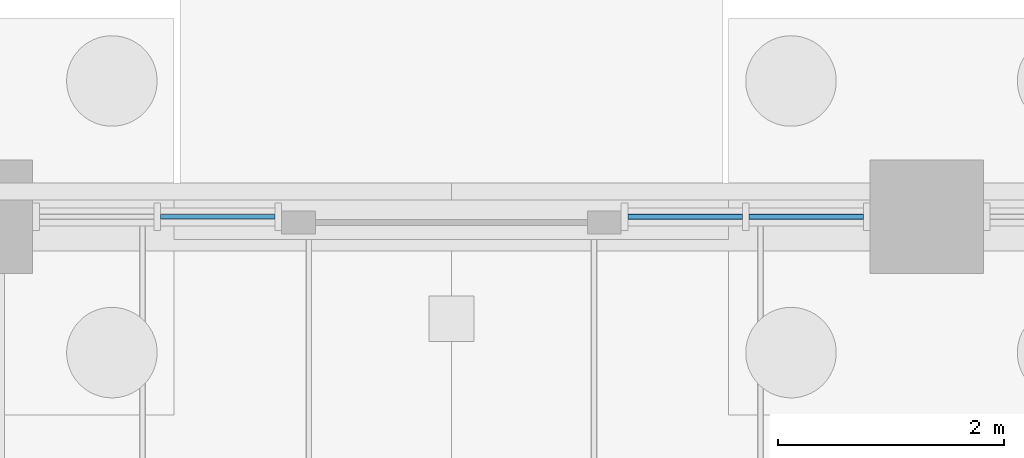
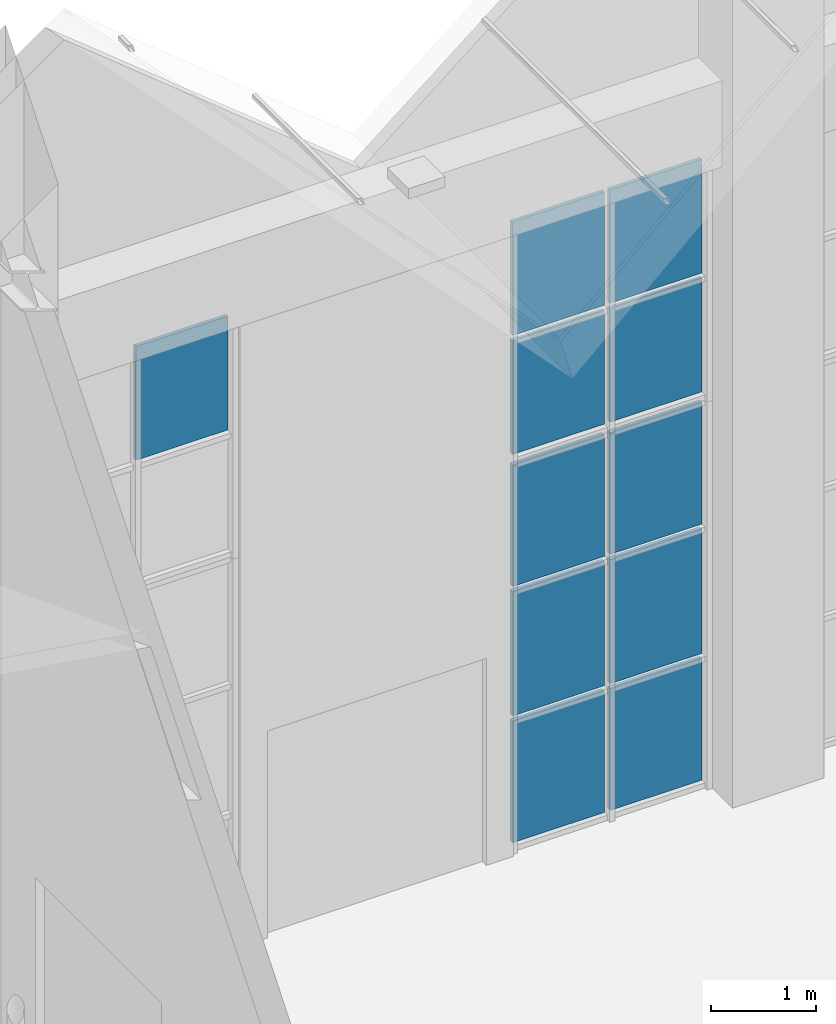
# One storey, part 84 of 138: 11 plates, 3 elements without a shape of their own.
"""IFC4 building model written with IfcOpenShell, lengths in metres."""

from ifc_helpers import new_model, si_unit, direction, frame, origin, origin_2d, place, context, subcontext, project, spatial, rectangle, extrude, material, layer, layer_set, type_object, element, aggregate, save


model = new_model("IFC4")

# Units and contexts
model_context = context("Model", 3, precision=1e-05, world=origin(), true_north=direction((0.0, 1.0)))
body_context = subcontext(model_context, "Body", "Model", "MODEL_VIEW")
ifc_project = project(units=[si_unit("LENGTHUNIT", "METRE"), si_unit("AREAUNIT", "SQUARE_METRE"), si_unit("VOLUMEUNIT", "CUBIC_METRE"), si_unit("PLANEANGLEUNIT", "RADIAN"), si_unit("MASSUNIT", "GRAM", prefix="KILO")], contexts=[model_context])

# Site, building, storey
site_placement = place(None, origin())
site = spatial("IfcSite", under=ifc_project, at=site_placement, CompositionType="ELEMENT")
building_placement = place(site_placement, origin())
building = spatial("IfcBuilding", under=site, at=building_placement, Name="Yavir Park General Hospital", CompositionType="ELEMENT")
storey_placement = place(building_placement, origin())
storey = spatial("IfcBuildingStorey", under=building, at=storey_placement, Name="L00", CompositionType="ELEMENT", Elevation=0.0)

# Curtain wall, plates
ifc_material_1 = material(Name="Aluminium curtain wall frame with insulated glazing", Category="aluminium")
curtain_wall_type_1 = type_object("IfcCurtainWallType", Name="Main hall glazing, lower band, 4500 high, 1400 module", PredefinedType="NOTDEFINED", material=ifc_material_1)
curtain_wall_1_placement = place(storey_placement, origin())
curtain_wall_1 = element("IfcCurtainWall", 1, at=curtain_wall_1_placement, inside=storey, type_object=curtain_wall_type_1, Name="CW33 L00-025", PredefinedType="NOTDEFINED")
ifc_material_2 = material(Name="Solar-control insulated glazed unit 40 mm")
ifc_layer_1 = layer(ifc_material_2, 0.050048828125)
ifc_layer_set_1 = layer_set([ifc_layer_1], Name="Solar-control insulated glazed unit 40 mm")
plate_type_1 = type_object("IfcPlateType", Name="Main hall glazing, lower band, 4500 high panel 50", PredefinedType="CURTAIN_PANEL", material=ifc_layer_set_1)
plate_1_placement = place(storey_placement, frame((81.864990234375, 67.199951171875, 0.06005859375), z_axis=(0.0, 0.0, 1.0), x_axis=(1.0, 0.0, 0.0)))
plate_1 = element("IfcPlate", 2, at=plate_1_placement, type_object=plate_type_1, Name="CW33 panel 1.1", PredefinedType="CURTAIN_PANEL", context=body_context, shape_type="SweptSolid", body=[
    extrude(rectangle(XDim=1.010009765625, YDim=0.050048828125, at=origin_2d()), origin(), (0.0, 0.0, 1.0), 1.409912109375),
])
plate_2_placement = place(storey_placement, frame((81.864990234375, 67.199951171875, 1.530029296875), z_axis=(0.0, 0.0, 1.0), x_axis=(1.0, 0.0, 0.0)))
plate_2 = element("IfcPlate", 3, at=plate_2_placement, type_object=plate_type_1, Name="CW33 panel 1.2", PredefinedType="CURTAIN_PANEL", context=body_context, shape_type="SweptSolid", body=[
    extrude(rectangle(XDim=1.010009765625, YDim=0.050048828125, at=origin_2d()), origin(), (0.0, 0.0, 1.0), 1.43994140625),
])
plate_3_placement = place(storey_placement, frame((81.864990234375, 67.199951171875, 3.0302734375), z_axis=(0.0, 0.0, 1.0), x_axis=(1.0, 0.0, 0.0)))
plate_3 = element("IfcPlate", 4, at=plate_3_placement, type_object=plate_type_1, Name="CW33 panel 1.3", PredefinedType="CURTAIN_PANEL", context=body_context, shape_type="SweptSolid", body=[
    extrude(rectangle(XDim=1.010009765625, YDim=0.050048828125, at=origin_2d()), origin(), (0.0, 0.0, 1.0), 1.409912109375),
])
plate_4_placement = place(storey_placement, frame((82.93505859375, 67.199951171875, 0.06005859375), z_axis=(0.0, 0.0, 1.0), x_axis=(1.0, 0.0, 0.0)))
plate_4 = element("IfcPlate", 5, at=plate_4_placement, type_object=plate_type_1, Name="CW33 panel 2.1", PredefinedType="CURTAIN_PANEL", context=body_context, shape_type="SweptSolid", body=[
    extrude(rectangle(XDim=1.010009765625, YDim=0.050048828125, at=origin_2d()), origin(), (0.0, 0.0, 1.0), 1.409912109375),
])
plate_5_placement = place(storey_placement, frame((82.93505859375, 67.199951171875, 1.530029296875), z_axis=(0.0, 0.0, 1.0), x_axis=(1.0, 0.0, 0.0)))
plate_5 = element("IfcPlate", 6, at=plate_5_placement, type_object=plate_type_1, Name="CW33 panel 2.2", PredefinedType="CURTAIN_PANEL", context=body_context, shape_type="SweptSolid", body=[
    extrude(rectangle(XDim=1.010009765625, YDim=0.050048828125, at=origin_2d()), origin(), (0.0, 0.0, 1.0), 1.43994140625),
])
plate_6_placement = place(storey_placement, frame((82.93505859375, 67.199951171875, 3.0302734375), z_axis=(0.0, 0.0, 1.0), x_axis=(1.0, 0.0, 0.0)))
plate_6 = element("IfcPlate", 7, at=plate_6_placement, type_object=plate_type_1, Name="CW33 panel 2.3", PredefinedType="CURTAIN_PANEL", context=body_context, shape_type="SweptSolid", body=[
    extrude(rectangle(XDim=1.010009765625, YDim=0.050048828125, at=origin_2d()), origin(), (0.0, 0.0, 1.0), 1.409912109375),
])
aggregate(curtain_wall_1, [plate_1, plate_2, plate_3, plate_4, plate_5, plate_6])

# Curtain wall, plate
ifc_material_3 = material(Name="Aluminium curtain wall frame with insulated glazing", Category="aluminium")
curtain_wall_type_2 = type_object("IfcCurtainWallType", Name="Main hall glazing, upper band, 2817 high, 1400 module", PredefinedType="NOTDEFINED", material=ifc_material_3)
curtain_wall_2_placement = place(storey_placement, origin())
curtain_wall_2 = element("IfcCurtainWall", 8, at=curtain_wall_2_placement, inside=storey, type_object=curtain_wall_type_2, Name="CW34 L00-024", PredefinedType="NOTDEFINED")
ifc_material_4 = material(Name="Solar-control insulated glazed unit 40 mm")
ifc_layer_2 = layer(ifc_material_4, 0.0400390625)
ifc_layer_set_2 = layer_set([ifc_layer_2], Name="Solar-control insulated glazed unit 40 mm")
plate_type_2 = type_object("IfcPlateType", Name="Main hall glazing, upper band, 2817 high panel 40", PredefinedType="CURTAIN_PANEL", material=ifc_layer_set_2)
plate_7_placement = place(storey_placement, frame((77.735107421875, 67.199951171875, 5.9384765625), z_axis=(0.0, 0.0, 1.0), x_axis=(1.0, 0.0, 0.0)))
plate_7 = element("IfcPlate", 9, at=plate_7_placement, type_object=plate_type_2, Name="CW34 panel 2.2", PredefinedType="CURTAIN_PANEL", context=body_context, shape_type="SweptSolid", body=[
    extrude(rectangle(XDim=1.010009765625, YDim=0.0400390625, at=origin_2d()), origin(), (0.0, 0.0, 1.0), 1.318603515625),
])
aggregate(curtain_wall_2, [plate_7])

# Curtain wall, plates
curtain_wall_3_placement = place(storey_placement, origin())
curtain_wall_3 = element("IfcCurtainWall", 10, at=curtain_wall_3_placement, inside=storey, type_object=curtain_wall_type_2, Name="CW34 L00-026", PredefinedType="NOTDEFINED")
plate_8_placement = place(storey_placement, frame((81.864990234375, 67.199951171875, 4.56005859375), z_axis=(0.0, 0.0, 1.0), x_axis=(1.0, 0.0, 0.0)))
plate_8 = element("IfcPlate", 11, at=plate_8_placement, type_object=plate_type_2, Name="CW34 panel 1.1", PredefinedType="CURTAIN_PANEL", context=body_context, shape_type="SweptSolid", body=[
    extrude(rectangle(XDim=1.010009765625, YDim=0.0400390625, at=origin_2d()), origin(), (0.0, 0.0, 1.0), 1.318603515625),
])
plate_9_placement = place(storey_placement, frame((81.864990234375, 67.199951171875, 5.9384765625), z_axis=(0.0, 0.0, 1.0), x_axis=(1.0, 0.0, 0.0)))
plate_9 = element("IfcPlate", 12, at=plate_9_placement, type_object=plate_type_2, Name="CW34 panel 1.2", PredefinedType="CURTAIN_PANEL", context=body_context, shape_type="SweptSolid", body=[
    extrude(rectangle(XDim=1.010009765625, YDim=0.0400390625, at=origin_2d()), origin(), (0.0, 0.0, 1.0), 1.318603515625),
])
plate_10_placement = place(storey_placement, frame((82.93505859375, 67.199951171875, 4.56005859375), z_axis=(0.0, 0.0, 1.0), x_axis=(1.0, 0.0, 0.0)))
plate_10 = element("IfcPlate", 13, at=plate_10_placement, type_object=plate_type_2, Name="CW34 panel 2.1", PredefinedType="CURTAIN_PANEL", context=body_context, shape_type="SweptSolid", body=[
    extrude(rectangle(XDim=1.010009765625, YDim=0.0400390625, at=origin_2d()), origin(), (0.0, 0.0, 1.0), 1.318603515625),
])
plate_11_placement = place(storey_placement, frame((82.93505859375, 67.199951171875, 5.9384765625), z_axis=(0.0, 0.0, 1.0), x_axis=(1.0, 0.0, 0.0)))
plate_11 = element("IfcPlate", 14, at=plate_11_placement, type_object=plate_type_2, Name="CW34 panel 2.2", PredefinedType="CURTAIN_PANEL", context=body_context, shape_type="SweptSolid", body=[
    extrude(rectangle(XDim=1.010009765625, YDim=0.0400390625, at=origin_2d()), origin(), (0.0, 0.0, 1.0), 1.318603515625),
])
aggregate(curtain_wall_3, [plate_8, plate_9, plate_10, plate_11])

save(model, "model.ifc")
